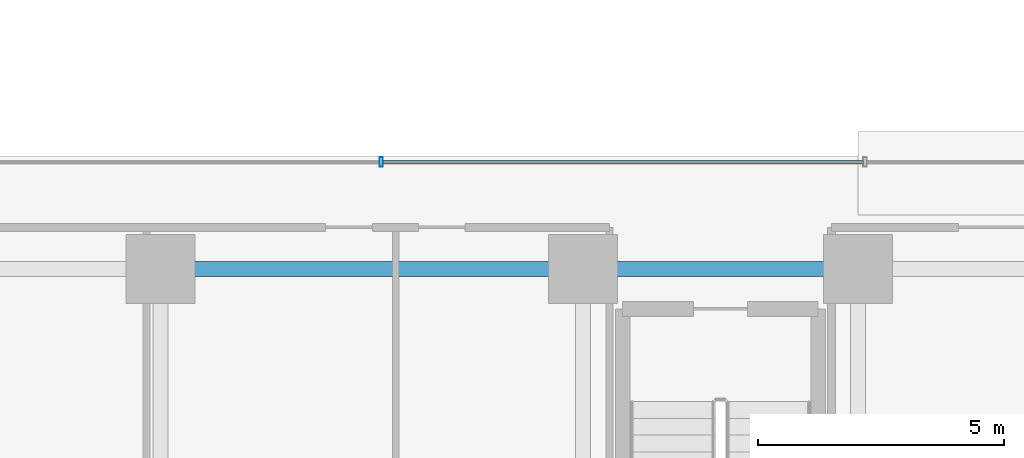
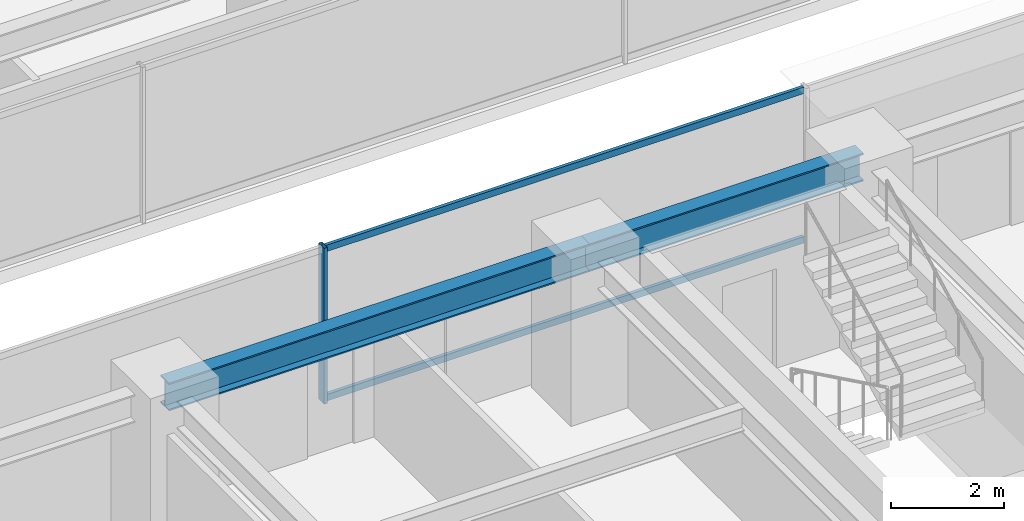
# One storey, part 8 of 43: 3 members, 2 beams, 1 element without a shape of its own.
"""IFC4 building model written with IfcOpenShell, lengths in metres."""

from ifc_helpers import new_model, si_unit, direction, frame, origin, origin_2d, place, context, subcontext, project, spatial, hollow_rectangle, i_section, extrude, source, transform, mapped, material, material_profile, profile_set, type_object, element, aggregate, save


model = new_model("IFC4")

# Units and contexts
model_context = context("Model", 3, precision=1e-05, world=origin(), true_north=direction((0.0, 1.0)))
body_context = subcontext(model_context, "Body", "Model", "MODEL_VIEW")
ifc_project = project(units=[si_unit("LENGTHUNIT", "METRE"), si_unit("AREAUNIT", "SQUARE_METRE"), si_unit("VOLUMEUNIT", "CUBIC_METRE"), si_unit("PLANEANGLEUNIT", "RADIAN"), si_unit("MASSUNIT", "GRAM", prefix="KILO")], contexts=[model_context])

# Site, building, storey
site_placement = place(None, origin())
site = spatial("IfcSite", under=ifc_project, at=site_placement, CompositionType="ELEMENT")
building_placement = place(site_placement, origin())
building = spatial("IfcBuilding", under=site, at=building_placement, Name="Nahalor Promenade Grand Hotel", CompositionType="ELEMENT")
storey_placement = place(building_placement, frame((0.0, 0.0, 47.0)))
storey = spatial("IfcBuildingStorey", under=building, at=storey_placement, Name="L10", CompositionType="ELEMENT", Elevation=47.0)

# Beams
ifc_material_1 = material(Name="Steel S355JR", Category="steel")
ifc_material_profile_1 = material_profile(ifc_material_1, i_section(OverallWidth=0.3, OverallDepth=0.6, WebThickness=0.0155, FlangeThickness=0.03, at=origin_2d()), Name="HEB 600")
ifc_profile_set_1 = profile_set([ifc_material_profile_1], Name="Steel S355JR")
beam_type = type_object("IfcBeamType", Name="Beam-Girder-HEB600", PredefinedType="BEAM", material=ifc_profile_set_1)
shared_shape_1 = source(origin(), body_context, "Body", "SweptSolid", [
    extrude(i_section(OverallWidth=0.3, OverallDepth=0.6, WebThickness=0.0155, FlangeThickness=0.03, at=origin_2d()), origin(), (0.0, 0.0, 1.0), 8.60009765625),
])
beam_1_placement = place(storey_placement, frame((-17.0, -5.39990234375, 3.070068359375), z_axis=(1.0, 0.0, 0.0), x_axis=(0.0, 1.0, 0.0)))
element("IfcBeam", 1, at=beam_1_placement, inside=storey, type_object=beam_type, Name="BM-L10-GX-1-1", PredefinedType="BEAM", context=body_context, shape_type="MappedRepresentation", body=[
    mapped(shared_shape_1, transform((0.0, 0.0, 0.0), scale=1.0)),
])
shared_shape_2 = source(origin(), body_context, "Body", "SweptSolid", [
    extrude(i_section(OverallWidth=0.3, OverallDepth=0.6, WebThickness=0.0155, FlangeThickness=0.03, at=origin_2d()), origin(), (0.0, 0.0, 1.0), 5.599853515625),
])
beam_2_placement = place(storey_placement, frame((-8.39990234375, -5.39990234375, 3.070068359375), z_axis=(1.0, 0.0, 0.0), x_axis=(0.0, 1.0, 0.0)))
element("IfcBeam", 2, at=beam_2_placement, inside=storey, type_object=beam_type, Name="BM-L10-GX-1-2", PredefinedType="BEAM", context=body_context, shape_type="MappedRepresentation", body=[
    mapped(shared_shape_2, transform((0.0, 0.0, 0.0), scale=1.0)),
])

# Curtain wall, members
ifc_material_2 = material(Name="Anodised Bronze Aluminium EN AW-6063 T6", Category="aluminium")
curtain_wall_type = type_object("IfcCurtainWallType", Name="CW3 Elliptical-Void Collar Unitised Curtain Wall", PredefinedType="USERDEFINED", material=ifc_material_2)
curtain_wall_placement = place(storey_placement, origin())
curtain_wall = element("IfcCurtainWall", 3, at=curtain_wall_placement, inside=storey, type_object=curtain_wall_type, Name="L10 Curtain Wall CW-L10-VOID-WS1", ObjectType="UNITISED_CURTAIN_WALL", PredefinedType="USERDEFINED")
ifc_material_profile_2 = material_profile(ifc_material_2, hollow_rectangle(XDim=0.07, YDim=0.14, WallThickness=0.004, at=origin_2d()), Name="CWT 70x140x4")
ifc_profile_set_2 = profile_set([ifc_material_profile_2], Name="Anodised Bronze Aluminium EN AW-6063 T6")
member_type_1 = type_object("IfcMemberType", Name="CWT3 Void Collar Transom 70x140", PredefinedType="USERDEFINED", material=ifc_profile_set_2)
shared_shape_3 = source(origin(), body_context, "Body", "SweptSolid", [
    extrude(hollow_rectangle(XDim=0.07, YDim=0.14, WallThickness=0.004, at=origin_2d()), origin(), (0.0, 0.0, 1.0), 9.783447265625),
])
member_1_placement = place(storey_placement, frame((-12.4716796875, -3.219970703125, 0.070068359375), z_axis=(1.0, 0.0, 0.0), x_axis=(0.0, 1.0, 0.0)))
member_1 = element("IfcMember", 4, at=member_1_placement, type_object=member_type_1, Name="CW-L10-VOID-WS1 Transom 1-0", ObjectType="TRANSOM", PredefinedType="USERDEFINED", context=body_context, shape_type="MappedRepresentation", body=[
    mapped(shared_shape_3, transform((0.0, 0.0, 0.0), scale=1.0)),
])
member_2_placement = place(storey_placement, frame((-12.4716796875, -3.219970703125, 3.300048828125), z_axis=(1.0, 0.0, 0.0), x_axis=(0.0, 1.0, 0.0)))
member_2 = element("IfcMember", 5, at=member_2_placement, type_object=member_type_1, Name="CW-L10-VOID-WS1 Transom 1-1", ObjectType="TRANSOM", PredefinedType="USERDEFINED", context=body_context, shape_type="MappedRepresentation", body=[
    mapped(shared_shape_3, transform((0.0, 0.0, 0.0), scale=1.0)),
])
ifc_material_profile_3 = material_profile(ifc_material_2, hollow_rectangle(XDim=0.07, YDim=0.2, WallThickness=0.005, at=origin_2d()), Name="CWM 70x200x5")
ifc_profile_set_3 = profile_set([ifc_material_profile_3], Name="Anodised Bronze Aluminium EN AW-6063 T6")
member_type_2 = type_object("IfcMemberType", Name="CWM3 Void Collar Mullion 70x200", PredefinedType="MULLION", material=ifc_profile_set_3)
shared_shape_4 = source(origin(), body_context, "Body", "SweptSolid", [
    extrude(hollow_rectangle(XDim=0.07, YDim=0.2, WallThickness=0.005, at=origin_2d()), origin(), (0.0, 0.0, 1.0), 3.3701171875),
])
member_3_placement = place(storey_placement, frame((-12.506591796875, -3.219970703125, 0.0), z_axis=(0.0, 0.0, 1.0), x_axis=(1.0, 0.0, 0.0)))
member_3 = element("IfcMember", 6, at=member_3_placement, type_object=member_type_2, Name="CW-L10-VOID-WS1 Mullion 1", PredefinedType="MULLION", context=body_context, shape_type="MappedRepresentation", body=[
    mapped(shared_shape_4, transform((0.0, 0.0, 0.0), scale=1.0)),
])
aggregate(curtain_wall, [member_3, member_1, member_2])

save(model, "model.ifc")
